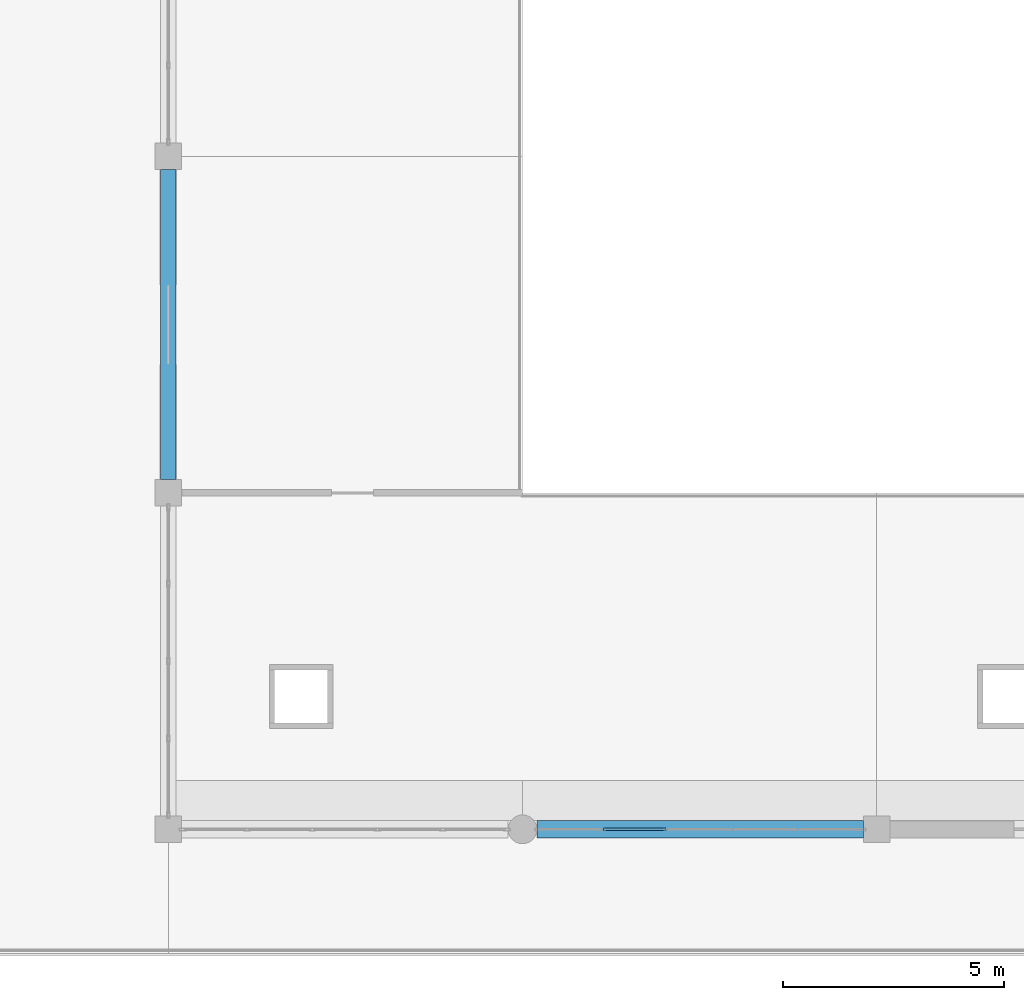
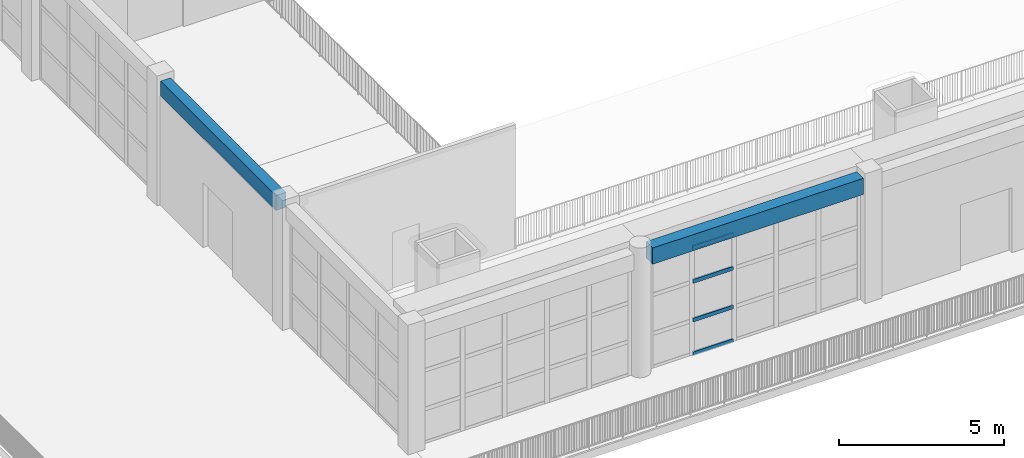
# One storey, part 5 of 32: 4 members, 2 beams, 1 element without a shape of its own.
"""IFC4 building model written with IfcOpenShell, lengths in metres."""

from ifc_helpers import new_model, si_unit, direction, frame, origin, origin_2d, place, context, subcontext, project, spatial, rectangle, hollow_rectangle, extrude, material, material_profile, profile_set, type_object, element, aggregate, save


model = new_model("IFC4")

# Units and contexts
model_context = context("Model", 3, precision=1e-05, world=origin(), true_north=direction((0.0, 1.0)))
body_context = subcontext(model_context, "Body", "Model", "MODEL_VIEW")
ifc_project = project(units=[si_unit("LENGTHUNIT", "METRE"), si_unit("AREAUNIT", "SQUARE_METRE"), si_unit("VOLUMEUNIT", "CUBIC_METRE"), si_unit("PLANEANGLEUNIT", "RADIAN"), si_unit("MASSUNIT", "GRAM", prefix="KILO")], contexts=[model_context])

# Site, building, storey
site_placement = place(None, origin())
site = spatial("IfcSite", under=ifc_project, at=site_placement, CompositionType="ELEMENT")
building_placement = place(site_placement, origin())
building = spatial("IfcBuilding", under=site, at=building_placement, Name="Zantavel Square City Hall", CompositionType="ELEMENT")
storey_placement = place(building_placement, frame((0.0, 0.0, 23.699951171875)))
storey = spatial("IfcBuildingStorey", under=building, at=storey_placement, Name="L06", CompositionType="ELEMENT", Elevation=23.699951171875)

# Curtain wall, members
ifc_material_1 = material(Name="Anodised aluminium 6063-T6", Category="aluminium")
curtain_wall_type = type_object("IfcCurtainWallType", Name="Curtain Wall TRV1 7375x3980", PredefinedType="USERDEFINED", material=ifc_material_1)
curtain_wall_placement = place(storey_placement, origin())
curtain_wall = element("IfcCurtainWall", 1, at=curtain_wall_placement, inside=storey, type_object=curtain_wall_type, Name="L06 Glazed Curtain Wall CW-L06-156", ObjectType="GLAZED CURTAIN WALL", PredefinedType="USERDEFINED")
ifc_material_profile_1 = material_profile(ifc_material_1, hollow_rectangle(XDim=0.06005859375, YDim=0.139892578125, WallThickness=0.00390625, at=origin_2d()), Name="ALU 60x140x4")
ifc_profile_set_1 = profile_set([ifc_material_profile_1], Name="Anodised aluminium 6063-T6")
member_type = type_object("IfcMemberType", Name="CW Transom ALU 60x140x4", PredefinedType="USERDEFINED", material=ifc_profile_set_1)
member_1_placement = place(storey_placement, frame((75.2451171875, 30.39990234375, 0.030029296875), z_axis=(-1.0, 0.0, 0.0), x_axis=(0.0, -1.0, 0.0)))
member_1 = element("IfcMember", 2, at=member_1_placement, type_object=member_type, Name="CW-156 transom 4.1", ObjectType="TRANSOM", PredefinedType="USERDEFINED", context=body_context, shape_type="SweptSolid", body=[
    extrude(hollow_rectangle(XDim=0.06005859375, YDim=0.139892578125, WallThickness=0.00390625, at=origin_2d()), origin(), (0.0, 0.0, 1.0), 1.4150390625),
])
member_2_placement = place(storey_placement, frame((75.2451171875, 30.39990234375, 1.274169921875), z_axis=(-1.0, 0.0, 0.0), x_axis=(0.0, -1.0, 0.0)))
member_2 = element("IfcMember", 3, at=member_2_placement, type_object=member_type, Name="CW-156 transom 4.2", ObjectType="TRANSOM", PredefinedType="USERDEFINED", context=body_context, shape_type="SweptSolid", body=[
    extrude(hollow_rectangle(XDim=0.06005859375, YDim=0.139892578125, WallThickness=0.00390625, at=origin_2d()), origin(), (0.0, 0.0, 1.0), 1.4150390625),
])
member_3_placement = place(storey_placement, frame((75.2451171875, 30.39990234375, 2.7060546875), z_axis=(-1.0, 0.0, 0.0), x_axis=(0.0, -1.0, 0.0)))
member_3 = element("IfcMember", 4, at=member_3_placement, type_object=member_type, Name="CW-156 transom 4.3", ObjectType="TRANSOM", PredefinedType="USERDEFINED", context=body_context, shape_type="SweptSolid", body=[
    extrude(hollow_rectangle(XDim=0.06005859375, YDim=0.139892578125, WallThickness=0.00390625, at=origin_2d()), origin(), (0.0, 0.0, 1.0), 1.4150390625),
])
member_4_placement = place(storey_placement, frame((75.2451171875, 30.39990234375, 3.949951171875), z_axis=(-1.0, 0.0, 0.0), x_axis=(0.0, -1.0, 0.0)))
member_4 = element("IfcMember", 5, at=member_4_placement, type_object=member_type, Name="CW-156 transom 4.4", ObjectType="TRANSOM", PredefinedType="USERDEFINED", context=body_context, shape_type="SweptSolid", body=[
    extrude(hollow_rectangle(XDim=0.06005859375, YDim=0.139892578125, WallThickness=0.00390625, at=origin_2d()), origin(), (0.0, 0.0, 1.0), 1.4150390625),
])
aggregate(curtain_wall, [member_1, member_2, member_3, member_4])

# Beams
ifc_material_2 = material(Name="Concrete C35/45", Category="concrete")
ifc_material_profile_2 = material_profile(ifc_material_2, rectangle(XDim=0.39990234375, YDim=0.60009765625, at=origin_2d()), Name="RC 400x600")
ifc_profile_set_2 = profile_set([ifc_material_profile_2], Name="Concrete C35/45")
beam_type_1 = type_object("IfcBeamType", Name="Perimeter Spandrel RC 400x600 C35/45", PredefinedType="SPANDREL", material=ifc_profile_set_2)
beam_1_placement = place(storey_placement, frame((72.324951171875, 30.39990234375, 4.280029296875), z_axis=(1.0, 0.0, 0.0), x_axis=(0.0, 1.0, 0.0)))
element("IfcBeam", 6, at=beam_1_placement, inside=storey, type_object=beam_type_1, Name="L06 Girder BMX-L06-0720-0304", PredefinedType="SPANDREL", context=body_context, shape_type="SweptSolid", body=[
    extrude(rectangle(XDim=0.39990234375, YDim=0.60009765625, at=origin_2d()), origin(), (0.0, 0.0, 1.0), 7.375),
])
ifc_material_profile_3 = material_profile(ifc_material_2, rectangle(XDim=0.35009765625, YDim=0.550048828125, at=origin_2d()), Name="RC 350x550")
ifc_profile_set_3 = profile_set([ifc_material_profile_3], Name="Concrete C35/45")
beam_type_2 = type_object("IfcBeamType", Name="Secondary Beam RC 350x550 C35/45", PredefinedType="BEAM", material=ifc_profile_set_3)
beam_2_placement = place(storey_placement, frame((64.0, 38.300048828125, 4.304931640625), z_axis=(0.0, 1.0, 0.0), x_axis=(-1.0, 0.0, 0.0)))
element("IfcBeam", 7, at=beam_2_placement, inside=storey, type_object=beam_type_2, Name="L06 Beam BMY-L06-0640-0380", PredefinedType="BEAM", context=body_context, shape_type="SweptSolid", body=[
    extrude(rectangle(XDim=0.35009765625, YDim=0.550048828125, at=origin_2d()), origin(), (0.0, 0.0, 1.0), 7.0),
])

save(model, "model.ifc")
